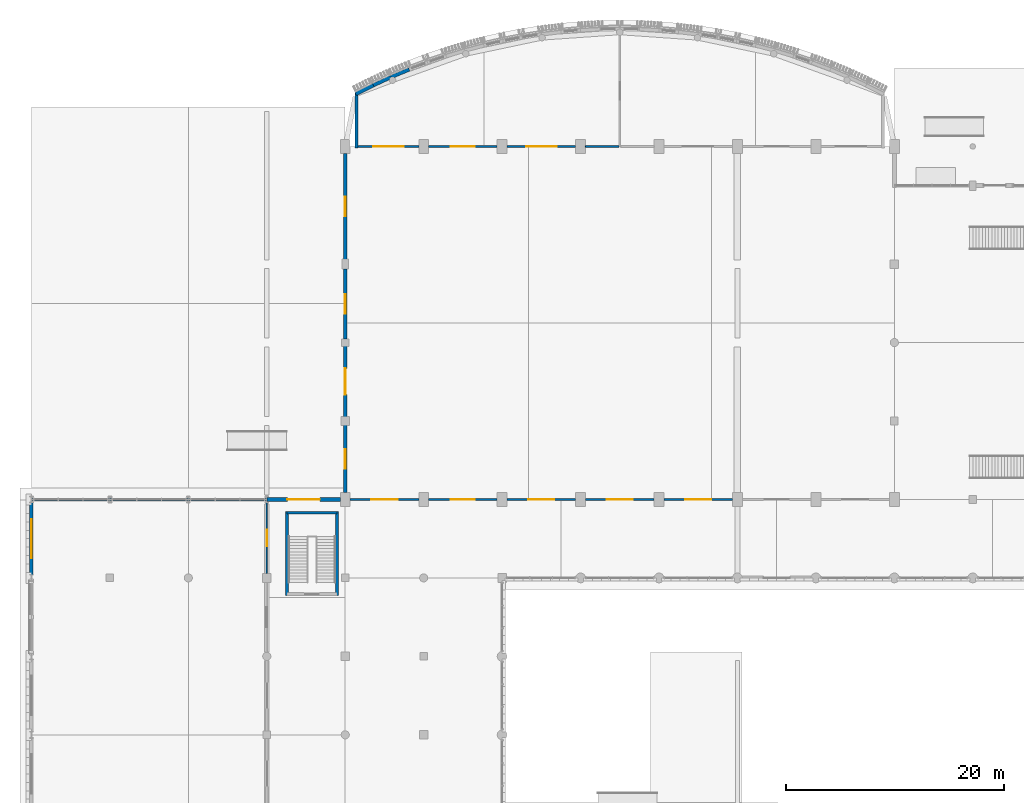
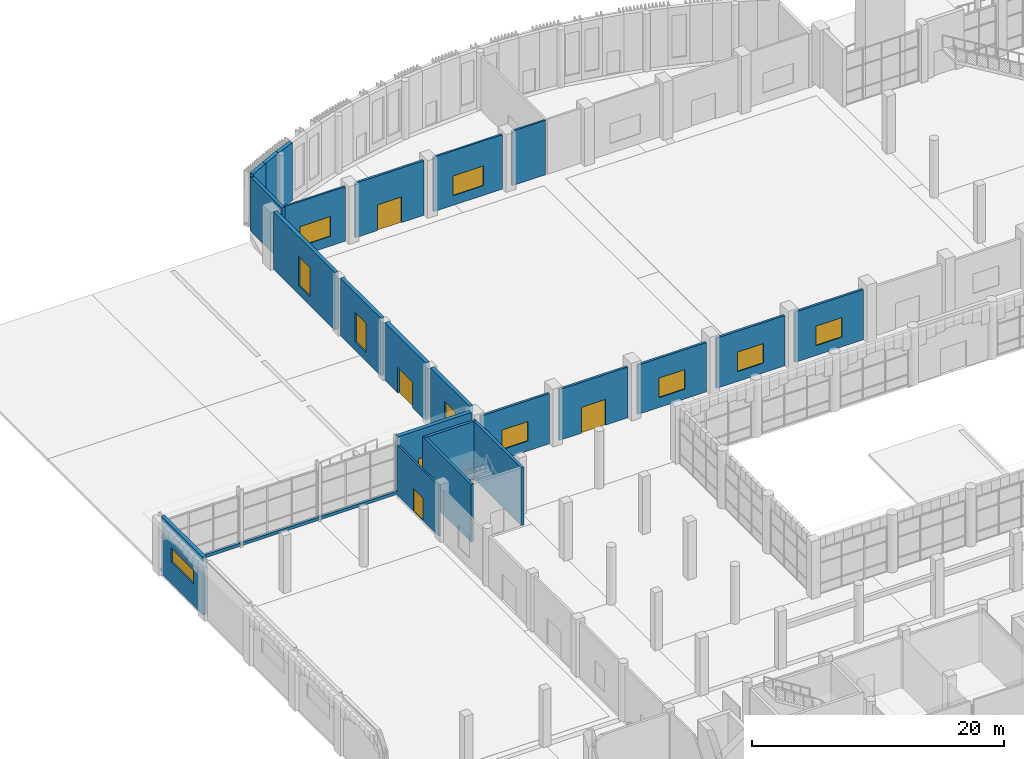
# One storey, part 60 of 85: 26 walls, 10 windows, 5 doors, 15 openings.
"""IFC4 building model written with IfcOpenShell, lengths in metres."""

from ifc_helpers import new_model, si_unit, direction, frame, frame_2d, origin, place, context, subcontext, project, spatial, polyline, rectangle, outline, extrude, material, layer, layer_set, type_object, element, fill, save


model = new_model("IFC4")

# Units and contexts
model_context = context("Model", 3, precision=1e-05, world=origin(), true_north=direction((0.0, 1.0)))
body_context = subcontext(model_context, "Body", "Model", "MODEL_VIEW")
ifc_project = project(units=[si_unit("LENGTHUNIT", "METRE"), si_unit("AREAUNIT", "SQUARE_METRE"), si_unit("VOLUMEUNIT", "CUBIC_METRE"), si_unit("PLANEANGLEUNIT", "RADIAN"), si_unit("MASSUNIT", "GRAM", prefix="KILO")], contexts=[model_context])

# Site, building, storey
site_placement = place(None, origin())
site = spatial("IfcSite", under=ifc_project, at=site_placement, CompositionType="ELEMENT")
building_placement = place(site_placement, origin())
building = spatial("IfcBuilding", under=site, at=building_placement, Name="Sardonyx Promenade Sports Hall", CompositionType="ELEMENT")
storey_placement = place(building_placement, origin())
storey = spatial("IfcBuildingStorey", under=building, at=storey_placement, Name="L00", CompositionType="ELEMENT", Elevation=0.0)

# Walls
ifc_material_1 = material(Name="Concrete C40/50", Category="concrete")
ifc_layer_1 = layer(ifc_material_1, 0.340087890625)
ifc_layer_set_1 = layer_set([ifc_layer_1], Name="Wall_Bow_Arc_340")
wall_type_1 = type_object("IfcWallType", Name="Wall_Bow_Arc_340", PredefinedType="SOLIDWALL", material=ifc_layer_set_1)
for number, where, z_axis, x_axis, name in (
    (1, (29.773681640625, 109.2119140625, 0.0), (0.0, 0.0, 1.0), (0.892821085875, 0.450411488104, 0.0), "Bowed promenade wall EW07 L00 CH01"),
    (2, (31.380859375, 110.022705078125, 0.0), (0.0, 0.0, 1.0), (0.907808472517, 0.419384998808, 0.0), "Bowed promenade wall EW07 L00 CH02"),
):
    element("IfcWall", number, at=place(storey_placement, frame(where, z_axis=z_axis, x_axis=x_axis)), inside=storey, type_object=wall_type_1, Name=name, PredefinedType="SOLIDWALL", context=body_context, shape_type="SweptSolid", body=[
        extrude(outline(polyline([(0.002943, -0.17), (1.797057, -0.17), (1.802943, 0.17), (-0.002943, 0.17), (0.002943, -0.17)])), origin(), (0.0, 0.0, 1.0), 5.60009765625),
    ])
wall_1_placement = place(storey_placement, frame((33.014892578125, 110.777587890625, 0.0), z_axis=(0.0, 0.0, 1.0), x_axis=(0.921803799964, 0.387656748131, 0.0)))
element("IfcWall", 3, at=wall_1_placement, inside=storey, type_object=wall_type_1, Name="Bowed promenade wall EW07 L00 CH03", PredefinedType="SOLIDWALL", context=body_context, shape_type="SweptSolid", body=[
    extrude(outline(polyline([(0.002943, -0.17), (1.797058, -0.17), (1.802943, 0.17), (-0.002943, 0.17), (0.002943, -0.17)])), origin(), (0.0, 0.0, 1.0), 5.60009765625),
])

# Wall, opening, window
ifc_material_2 = material(Name="Concrete C40/50", Category="concrete")
ifc_layer_2 = layer(ifc_material_2, 0.320068359375)
ifc_layer_set_2 = layer_set([ifc_layer_2], Name="Wall_Ext_Court_320")
wall_type_2 = type_object("IfcWallType", Name="Wall_Ext_Court_320", PredefinedType="SOLIDWALL", material=ifc_layer_set_2)
wall_2_placement = place(storey_placement, frame((0.0, 65.080078125, 0.0), z_axis=(0.0, 0.0, 1.0), x_axis=(0.0, 1.0, 0.0)))
wall_2 = element("IfcWall", 4, at=wall_2_placement, inside=storey, type_object=wall_type_2, Name="Exterior wall EW01 L00 #137", PredefinedType="SOLIDWALL", context=body_context, shape_type="SweptSolid", body=[
    extrude(rectangle(XDim=6.639892578125, YDim=0.320068359375, at=frame_2d((3.31982421875, 0.0))), origin(), (0.0, 0.0, 1.0), 5.60009765625),
])
opening_1_placement = place(wall_2_placement, frame((1.52001953125, 0.0, 2.10009765625)))
opening_1 = element("IfcOpeningElement", 5, at=opening_1_placement, cuts=wall_2, Name="Opening W17", PredefinedType="OPENING", context=body_context, shape_type="SweptSolid", body=[
    extrude(rectangle(XDim=3.60009765625, YDim=1.35009765625, at=frame_2d((1.800048828125, 0.675048828125))), frame((0.0, 0.17, 0.0), z_axis=(0.0, -1.0, 0.0), x_axis=(1.0, 0.0, 0.0)), (0.0, 0.0, 1.0), 0.34),
])
ifc_material_3 = material(Name="Double-glazed solar low-E aluminium window", Category="aluminium")
window_type_1 = type_object("IfcWindowType", Name="Win_Clerestory_360x135", PartitioningType="DOUBLE_PANEL_VERTICAL", PredefinedType="WINDOW", material=ifc_material_3)
window_1_placement = place(opening_1_placement, origin())
window_1 = element("IfcWindow", 6, at=window_1_placement, inside=storey, type_object=window_type_1, Name="Facade window W17 L00 #58", OverallHeight=1.35009765625, OverallWidth=3.60009765625, PartitioningType="SINGLE_PANEL", PredefinedType="WINDOW", context=body_context, shape_type="SweptSolid", body=[
    extrude(rectangle(XDim=3.60009765625, YDim=1.35009765625, at=frame_2d((1.800048828125, 0.675048828125))), frame((0.0, 0.030029296875, 0.0), z_axis=(0.0, -1.0, 0.0), x_axis=(1.0, 0.0, 0.0)), (0.0, 0.0, 1.0), 0.06005859375),
])
fill(opening_1, window_1)

wall_3_placement = place(storey_placement, frame((28.800048828125, 72.635009765625, 0.0), z_axis=(0.0, 0.0, 1.0), x_axis=(0.0, 1.0, 0.0)))
wall_3 = element("IfcWall", 7, at=wall_3_placement, inside=storey, type_object=wall_type_2, Name="Exterior wall EW01 L00 #206", PredefinedType="SOLIDWALL", context=body_context, shape_type="SweptSolid", body=[
    extrude(rectangle(XDim=6.179931640625, YDim=0.320068359375, at=frame_2d((3.08984375, 0.0))), origin(), (0.0, 0.0, 1.0), 5.60009765625),
])
opening_2_placement = place(wall_3_placement, frame((2.18994140625, 0.0, 0.85009765625)))
opening_2 = element("IfcOpeningElement", 8, at=opening_2_placement, cuts=wall_3, Name="Opening W23", PredefinedType="OPENING", context=body_context, shape_type="SweptSolid", body=[
    extrude(rectangle(XDim=1.800048828125, YDim=2.85009765625, at=frame_2d((0.89990234375, 1.425048828125))), frame((0.0, 0.17, 0.0), z_axis=(0.0, -1.0, 0.0), x_axis=(1.0, 0.0, 0.0)), (0.0, 0.0, 1.0), 0.34),
])
ifc_material_4 = material(Name="Double-glazed solar low-E aluminium window", Category="aluminium")
window_type_2 = type_object("IfcWindowType", Name="Win_Sandstone_ArchA", PartitioningType="DOUBLE_PANEL_VERTICAL", PredefinedType="WINDOW", material=ifc_material_4)
window_2_placement = place(opening_2_placement, origin())
window_2 = element("IfcWindow", 9, at=window_2_placement, inside=storey, type_object=window_type_2, Name="Facade window W23 L00 #81", OverallHeight=2.85009765625, OverallWidth=1.800048828125, PartitioningType="SINGLE_PANEL", PredefinedType="WINDOW", context=body_context, shape_type="SweptSolid", body=[
    extrude(rectangle(XDim=1.800048828125, YDim=2.85009765625, at=frame_2d((0.89990234375, 1.425048828125))), frame((0.0, 0.030029296875, 0.0), z_axis=(0.0, -1.0, 0.0), x_axis=(1.0, 0.0, 0.0)), (0.0, 0.0, 1.0), 0.06005859375),
])
fill(opening_2, window_2)

wall_4_placement = place(storey_placement, frame((28.800048828125, 86.735107421875, 0.0), z_axis=(0.0, 0.0, 1.0), x_axis=(0.0, 1.0, 0.0)))
wall_4 = element("IfcWall", 10, at=wall_4_placement, inside=storey, type_object=wall_type_2, Name="Exterior wall EW01 L00 #208", PredefinedType="SOLIDWALL", context=body_context, shape_type="SweptSolid", body=[
    extrude(rectangle(XDim=6.429931640625, YDim=0.320068359375, at=frame_2d((3.21484375, 0.0))), origin(), (0.0, 0.0, 1.0), 5.60009765625),
])
opening_3_placement = place(wall_4_placement, frame((2.31494140625, 0.0, 0.85009765625)))
opening_3 = element("IfcOpeningElement", 11, at=opening_3_placement, cuts=wall_4, Name="Opening W23", PredefinedType="OPENING", context=body_context, shape_type="SweptSolid", body=[
    extrude(rectangle(XDim=1.800048828125, YDim=2.85009765625, at=frame_2d((0.89990234375, 1.425048828125))), frame((0.0, 0.17, 0.0), z_axis=(0.0, -1.0, 0.0), x_axis=(1.0, 0.0, 0.0)), (0.0, 0.0, 1.0), 0.34),
])
window_3_placement = place(opening_3_placement, origin())
window_3 = element("IfcWindow", 12, at=window_3_placement, inside=storey, type_object=window_type_2, Name="Facade window W23 L00 #82", OverallHeight=2.85009765625, OverallWidth=1.800048828125, PartitioningType="SINGLE_PANEL", PredefinedType="WINDOW", context=body_context, shape_type="SweptSolid", body=[
    extrude(rectangle(XDim=1.800048828125, YDim=2.85009765625, at=frame_2d((0.89990234375, 1.425048828125))), frame((0.0, 0.030029296875, 0.0), z_axis=(0.0, -1.0, 0.0), x_axis=(1.0, 0.0, 0.0)), (0.0, 0.0, 1.0), 0.06005859375),
])
fill(opening_3, window_3)

wall_5_placement = place(storey_placement, frame((28.800048828125, 94.034912109375, 0.0), z_axis=(0.0, 0.0, 1.0), x_axis=(0.0, 1.0, 0.0)))
wall_5 = element("IfcWall", 13, at=wall_5_placement, inside=storey, type_object=wall_type_2, Name="Exterior wall EW01 L00 #209", PredefinedType="SOLIDWALL", context=body_context, shape_type="SweptSolid", body=[
    extrude(rectangle(XDim=9.72998046875, YDim=0.320068359375, at=frame_2d((4.864990234375, 0.0))), origin(), (0.0, 0.0, 1.0), 5.60009765625),
])
opening_4_placement = place(wall_5_placement, frame((3.965087890625, 0.0, 0.85009765625)))
opening_4 = element("IfcOpeningElement", 14, at=opening_4_placement, cuts=wall_5, Name="Opening W23", PredefinedType="OPENING", context=body_context, shape_type="SweptSolid", body=[
    extrude(rectangle(XDim=1.800048828125, YDim=2.85009765625, at=frame_2d((0.89990234375, 1.425048828125))), frame((0.0, 0.17, 0.0), z_axis=(0.0, -1.0, 0.0), x_axis=(1.0, 0.0, 0.0)), (0.0, 0.0, 1.0), 0.34),
])
window_4_placement = place(opening_4_placement, origin())
window_4 = element("IfcWindow", 15, at=window_4_placement, inside=storey, type_object=window_type_2, Name="Facade window W23 L00 #83", OverallHeight=2.85009765625, OverallWidth=1.800048828125, PartitioningType="SINGLE_PANEL", PredefinedType="WINDOW", context=body_context, shape_type="SweptSolid", body=[
    extrude(rectangle(XDim=1.800048828125, YDim=2.85009765625, at=frame_2d((0.89990234375, 1.425048828125))), frame((0.0, 0.030029296875, 0.0), z_axis=(0.0, -1.0, 0.0), x_axis=(1.0, 0.0, 0.0)), (0.0, 0.0, 1.0), 0.06005859375),
])
fill(opening_4, window_4)

# Wall, opening, door
ifc_material_5 = material(Name="Concrete C40/50", Category="concrete")
ifc_layer_3 = layer(ifc_material_5, 0.360107421875)
ifc_layer_set_3 = layer_set([ifc_layer_3], Name="Wall_Ext_Sandstone_360")
wall_type_3 = type_object("IfcWallType", Name="Wall_Ext_Sandstone_360", PredefinedType="SOLIDWALL", material=ifc_layer_set_3)
wall_6_placement = place(storey_placement, frame((21.6044921875, 72.0, 0.0), z_axis=(0.0, 0.0, 1.0), x_axis=(1.0, 0.0, 0.0)))
wall_6 = element("IfcWall", 16, at=wall_6_placement, inside=storey, type_object=wall_type_3, Name="Exterior wall EW06 L00 #171", PredefinedType="SOLIDWALL", context=body_context, shape_type="SweptSolid", body=[
    extrude(rectangle(XDim=6.760498046875, YDim=0.360107421875, at=frame_2d((3.38037109375, 0.0))), origin(), (0.0, 0.0, 1.0), 5.60009765625),
])
opening_5_placement = place(wall_6_placement, frame((1.880126953125, 0.0, 0.0)))
opening_5 = element("IfcOpeningElement", 17, at=opening_5_placement, cuts=wall_6, Name="Opening ED07", PredefinedType="OPENING", context=body_context, shape_type="SweptSolid", body=[
    extrude(rectangle(XDim=3.0, YDim=2.800048828125, at=frame_2d((1.5, 1.39990234375))), frame((0.0, 0.19, 0.0), z_axis=(0.0, -1.0, 0.0), x_axis=(1.0, 0.0, 0.0)), (0.0, 0.0, 1.0), 0.38),
])
ifc_material_6 = material(Name="Thermally broken anodised aluminium glazed door", Category="aluminium")
door_type_1 = type_object("IfcDoorType", Name="Door_Ext_MainPishtaq_300x280", OperationType="NOTDEFINED", PredefinedType="DOOR", material=ifc_material_6)
door_1_placement = place(opening_5_placement, origin())
door_1 = element("IfcDoor", 18, at=door_1_placement, inside=storey, type_object=door_type_1, Name="Exterior exit door E13", OperationType="DOUBLE_DOOR_SINGLE_SWING", OverallHeight=2.800048828125, OverallWidth=3.0, PredefinedType="DOOR", context=body_context, shape_type="SweptSolid", body=[
    extrude(rectangle(XDim=3.0, YDim=2.800048828125, at=frame_2d((1.5, 1.39990234375))), frame((0.0, 0.02490234375, 0.0), z_axis=(0.0, -1.0, 0.0), x_axis=(1.0, 0.0, 0.0)), (0.0, 0.0, 1.0), 0.050048828125),
])
fill(opening_5, door_1)

wall_7_placement = place(storey_placement, frame((28.800048828125, 79.5849609375, 0.0), z_axis=(0.0, 0.0, 1.0), x_axis=(0.0, 1.0, 0.0)))
wall_7 = element("IfcWall", 19, at=wall_7_placement, inside=storey, type_object=wall_type_3, Name="Exterior wall EW06 L00 #207", PredefinedType="SOLIDWALL", context=body_context, shape_type="SweptSolid", body=[
    extrude(rectangle(XDim=6.47998046875, YDim=0.360107421875, at=frame_2d((3.239990234375, 0.0))), origin(), (0.0, 0.0, 1.0), 5.60009765625),
])
opening_6_placement = place(wall_7_placement, frame((2.0400390625, 0.0, 0.0)))
opening_6 = element("IfcOpeningElement", 20, at=opening_6_placement, cuts=wall_7, Name="Opening ED06", PredefinedType="OPENING", context=body_context, shape_type="SweptSolid", body=[
    extrude(rectangle(XDim=2.39990234375, YDim=2.5, at=frame_2d((1.199951171875, 1.25))), frame((0.0, 0.19, 0.0), z_axis=(0.0, -1.0, 0.0), x_axis=(1.0, 0.0, 0.0)), (0.0, 0.0, 1.0), 0.38),
])
ifc_material_7 = material(Name="Thermally broken anodised aluminium glazed door", Category="aluminium")
door_type_2 = type_object("IfcDoorType", Name="Door_Ext_Promenade_240x250", OperationType="NOTDEFINED", PredefinedType="DOOR", material=ifc_material_7)
door_2_placement = place(opening_6_placement, origin())
door_2 = element("IfcDoor", 21, at=door_2_placement, inside=storey, type_object=door_type_2, Name="Exterior exit door E17", OperationType="DOUBLE_DOOR_SINGLE_SWING", OverallHeight=2.5, OverallWidth=2.39990234375, PredefinedType="DOOR", context=body_context, shape_type="SweptSolid", body=[
    extrude(rectangle(XDim=2.39990234375, YDim=2.5, at=frame_2d((1.199951171875, 1.25))), frame((0.0, 0.02490234375, 0.0), z_axis=(0.0, -1.0, 0.0), x_axis=(1.0, 0.0, 0.0)), (0.0, 0.0, 1.0), 0.050048828125),
])
fill(opening_6, door_2)

# Walls
ifc_material_8 = material(Name="Masonry CMU 15 MPa", Category="masonry")
ifc_layer_4 = layer(ifc_material_8, 0.239990234375)
ifc_layer_set_4 = layer_set([ifc_layer_4], Name="Wall_Ext_Spandrel_240")
wall_type_4 = type_object("IfcWallType", Name="Wall_Ext_Spandrel_240", PredefinedType="SOLIDWALL", material=ifc_layer_set_4)
wall_8_placement = place(storey_placement, frame((0.00439453125, 72.0, 0.0), z_axis=(0.0, 0.0, 1.0), x_axis=(1.0, 0.0, 0.0)))
element("IfcWall", 22, at=wall_8_placement, inside=storey, type_object=wall_type_4, Name="Curtain-wall sill spandrel L00 #168", PredefinedType="SOLIDWALL", context=body_context, shape_type="SweptSolid", body=[
    extrude(rectangle(XDim=7.191162109375, YDim=0.239990234375, at=frame_2d((3.595703125, 0.0))), origin(), (0.0, 0.0, 1.0), 0.300048828125),
])
for number, where, z_axis, x_axis, name in (
    (23, (7.20458984375, 72.0, 0.0), (0.0, 0.0, 1.0), (1.0, 0.0, 0.0), "Curtain-wall sill spandrel L00 #169"),
    (24, (14.404541015625, 72.0, 0.0), (0.0, 0.0, 1.0), (1.0, 0.0, 0.0), "Curtain-wall sill spandrel L00 #170"),
):
    element("IfcWall", number, at=place(storey_placement, frame(where, z_axis=z_axis, x_axis=x_axis)), inside=storey, type_object=wall_type_4, Name=name, PredefinedType="SOLIDWALL", context=body_context, shape_type="SweptSolid", body=[
        extrude(rectangle(XDim=7.19091796875, YDim=0.239990234375, at=frame_2d((3.595458984375, 0.0))), origin(), (0.0, 0.0, 1.0), 0.300048828125),
    ])
ifc_material_9 = material(Name="Concrete C40/50", Category="concrete")
ifc_layer_5 = layer(ifc_material_9, 0.280029296875)
ifc_layer_set_5 = layer_set([ifc_layer_5], Name="Wall_Ext_Wing_280")
wall_type_5 = type_object("IfcWallType", Name="Wall_Ext_Wing_280", PredefinedType="SOLIDWALL", material=ifc_layer_set_5)
wall_9_placement = place(storey_placement, frame((29.82373046875, 104.25, 0.0), z_axis=(0.0, 0.0, 1.0), x_axis=(0.0, 1.0, 0.0)))
element("IfcWall", 25, at=wall_9_placement, inside=storey, type_object=wall_type_5, Name="Bowed gallery west return wall L00", PredefinedType="SOLIDWALL", context=body_context, shape_type="SweptSolid", body=[
    extrude(rectangle(XDim=5.041748046875, YDim=0.280029296875, at=frame_2d((2.52099609375, 0.0))), origin(), (0.0, 0.0, 1.0), 5.2900390625),
])

# Wall, opening, window
ifc_material_10 = material(Name="Twin-stud acoustic gypsum partition", Category="gypsum")
ifc_layer_6 = layer(ifc_material_10, 0.169921875)
ifc_layer_set_6 = layer_set([ifc_layer_6], Name="Wall_Part_Acoust_170")
wall_type_6 = type_object("IfcWallType", Name="Wall_Part_Acoust_170", PredefinedType="PARTITIONING", material=ifc_layer_set_6)
wall_10_placement = place(storey_placement, frame((29.9736328125, 104.39990234375, 0.0), z_axis=(0.0, 0.0, 1.0), x_axis=(1.0, 0.0, 0.0)))
wall_10 = element("IfcWall", 26, at=wall_10_placement, inside=storey, type_object=wall_type_6, Name="Interior partition PW06 L00 #369", PredefinedType="PARTITIONING", context=body_context, shape_type="SweptSolid", body=[
    extrude(rectangle(XDim=5.576416015625, YDim=0.169921875, at=frame_2d((2.7880859375, 0.0))), origin(), (0.0, 0.0, 1.0), 5.2900390625),
])
opening_7_placement = place(wall_10_placement, frame((1.38818359375, 0.0, 0.949951171875)))
opening_7 = element("IfcOpeningElement", 27, at=opening_7_placement, cuts=wall_10, Name="Opening IW06", PredefinedType="OPENING", context=body_context, shape_type="SweptSolid", body=[
    extrude(rectangle(XDim=2.800048828125, YDim=1.89990234375, at=frame_2d((1.39990234375, 0.949951171875))), frame((0.0, 0.095, 0.0), z_axis=(0.0, -1.0, 0.0), x_axis=(1.0, 0.0, 0.0)), (0.0, 0.0, 1.0), 0.19),
])
ifc_material_11 = material(Name="Acoustic laminated sports viewing glazing EI 60", Category="glass")
window_type_3 = type_object("IfcWindowType", Name="IWin_Arena_280x190", PartitioningType="DOUBLE_PANEL_VERTICAL", PredefinedType="WINDOW", material=ifc_material_11)
window_5_placement = place(opening_7_placement, origin())
window_5 = element("IfcWindow", 28, at=window_5_placement, inside=storey, type_object=window_type_3, Name="Internal viewing window IW06 L00 #10", OverallHeight=1.89990234375, OverallWidth=2.800048828125, PartitioningType="SINGLE_PANEL", PredefinedType="WINDOW", context=body_context, shape_type="SweptSolid", body=[
    extrude(rectangle(XDim=2.800048828125, YDim=1.89990234375, at=frame_2d((1.39990234375, 0.949951171875))), frame((0.0, 0.030029296875, 0.0), z_axis=(0.0, -1.0, 0.0), x_axis=(1.0, 0.0, 0.0)), (0.0, 0.0, 1.0), 0.06005859375),
])
fill(opening_7, window_5)

wall_11_placement = place(storey_placement, frame((43.64990234375, 104.39990234375, 0.0), z_axis=(0.0, 0.0, 1.0), x_axis=(1.0, 0.0, 0.0)))
wall_11 = element("IfcWall", 29, at=wall_11_placement, inside=storey, type_object=wall_type_6, Name="Interior partition PW06 L00 #371", PredefinedType="PARTITIONING", context=body_context, shape_type="SweptSolid", body=[
    extrude(rectangle(XDim=6.300048828125, YDim=0.169921875, at=frame_2d((3.14990234375, 0.0))), origin(), (0.0, 0.0, 1.0), 5.2900390625),
])
opening_8_placement = place(wall_11_placement, frame((1.75, 0.0, 0.949951171875)))
opening_8 = element("IfcOpeningElement", 30, at=opening_8_placement, cuts=wall_11, Name="Opening IW06", PredefinedType="OPENING", context=body_context, shape_type="SweptSolid", body=[
    extrude(rectangle(XDim=2.800048828125, YDim=1.89990234375, at=frame_2d((1.39990234375, 0.949951171875))), frame((0.0, 0.095, 0.0), z_axis=(0.0, -1.0, 0.0), x_axis=(1.0, 0.0, 0.0)), (0.0, 0.0, 1.0), 0.19),
])
window_6_placement = place(opening_8_placement, origin())
window_6 = element("IfcWindow", 31, at=window_6_placement, inside=storey, type_object=window_type_3, Name="Internal viewing window IW06 L00 #11", OverallHeight=1.89990234375, OverallWidth=2.800048828125, PartitioningType="SINGLE_PANEL", PredefinedType="WINDOW", context=body_context, shape_type="SweptSolid", body=[
    extrude(rectangle(XDim=2.800048828125, YDim=1.89990234375, at=frame_2d((1.39990234375, 0.949951171875))), frame((0.0, 0.030029296875, 0.0), z_axis=(0.0, -1.0, 0.0), x_axis=(1.0, 0.0, 0.0)), (0.0, 0.0, 1.0), 0.06005859375),
])
fill(opening_8, window_6)

# Wall
wall_12_placement = place(storey_placement, frame((50.85009765625, 104.39990234375, 0.0), z_axis=(0.0, 0.0, 1.0), x_axis=(1.0, 0.0, 0.0)))
element("IfcWall", 32, at=wall_12_placement, inside=storey, type_object=wall_type_6, Name="Interior partition PW06 L00 #372", PredefinedType="PARTITIONING", context=body_context, shape_type="SweptSolid", body=[
    extrude(rectangle(XDim=3.054931640625, YDim=0.169921875, at=frame_2d((1.52734375, 0.0))), origin(), (0.0, 0.0, 1.0), 5.2900390625),
])

# Wall, opening, door
wall_13_placement = place(storey_placement, frame((21.60009765625, 65.199951171875, 0.0), z_axis=(0.0, 0.0, 1.0), x_axis=(0.0, 1.0, 0.0)))
wall_13 = element("IfcWall", 33, at=wall_13_placement, inside=storey, type_object=wall_type_6, Name="Interior partition PW06 L00 #487", PredefinedType="PARTITIONING", context=body_context, shape_type="SweptSolid", body=[
    extrude(rectangle(XDim=6.505126953125, YDim=0.169921875, at=frame_2d((3.25244140625, 0.0))), origin(), (0.0, 0.0, 1.0), 4.8798828125),
])
opening_9_placement = place(wall_13_placement, frame((2.50244140625, 0.0, 0.0)))
opening_9 = element("IfcOpeningElement", 34, at=opening_9_placement, cuts=wall_13, Name="Opening ID10", PredefinedType="OPENING", context=body_context, shape_type="SweptSolid", body=[
    extrude(rectangle(XDim=1.5, YDim=2.199951171875, at=frame_2d((0.75, 1.10009765625))), frame((0.0, 0.095, 0.0), z_axis=(0.0, -1.0, 0.0), x_axis=(1.0, 0.0, 0.0)), (0.0, 0.0, 1.0), 0.19),
])
ifc_material_12 = material(Name="Double studio entrance fire door FD30S", Category="wood")
door_type_3 = type_object("IfcDoorType", Name="Door_Corr_FD30_150x220", OperationType="NOTDEFINED", PredefinedType="DOOR", material=ifc_material_12)
door_3_placement = place(opening_9_placement, origin())
door_3 = element("IfcDoor", 35, at=door_3_placement, inside=storey, type_object=door_type_3, Name="Interior door D00-151", OperationType="DOUBLE_DOOR_SINGLE_SWING", OverallHeight=2.199951171875, OverallWidth=1.5, PredefinedType="DOOR", context=body_context, shape_type="SweptSolid", body=[
    extrude(rectangle(XDim=1.5, YDim=2.199951171875, at=frame_2d((0.75, 1.10009765625))), frame((0.0, 0.02490234375, 0.0), z_axis=(0.0, -1.0, 0.0), x_axis=(1.0, 0.0, 0.0)), (0.0, 0.0, 1.0), 0.050048828125),
])
fill(opening_9, door_3)

ifc_material_13 = material(Name="Masonry CMU 15 MPa", Category="masonry")
ifc_layer_7 = layer(ifc_material_13, 0.2099609375)
ifc_layer_set_7 = layer_set([ifc_layer_7], Name="Wall_Part_Block_210")
wall_type_7 = type_object("IfcWallType", Name="Wall_Part_Block_210", PredefinedType="PARTITIONING", material=ifc_layer_set_7)
wall_14_placement = place(storey_placement, frame((36.449951171875, 104.39990234375, 0.0), z_axis=(0.0, 0.0, 1.0), x_axis=(1.0, 0.0, 0.0)))
wall_14 = element("IfcWall", 36, at=wall_14_placement, inside=storey, type_object=wall_type_7, Name="Interior partition PW07 L00 #370", PredefinedType="PARTITIONING", context=body_context, shape_type="SweptSolid", body=[
    extrude(rectangle(XDim=6.300048828125, YDim=0.2099609375, at=frame_2d((3.14990234375, 0.0))), origin(), (0.0, 0.0, 1.0), 5.2900390625),
])
opening_10_placement = place(wall_14_placement, frame((2.050048828125, 0.0, 0.0)))
opening_10 = element("IfcOpeningElement", 37, at=opening_10_placement, cuts=wall_14, Name="Opening ID04", PredefinedType="OPENING", context=body_context, shape_type="SweptSolid", body=[
    extrude(rectangle(XDim=2.199951171875, YDim=2.5, at=frame_2d((1.10009765625, 1.25))), frame((0.0, 0.115, 0.0), z_axis=(0.0, -1.0, 0.0), x_axis=(1.0, 0.0, 0.0)), (0.0, 0.0, 1.0), 0.23),
])
ifc_material_14 = material(Name="Double acoustic sports hall fire door FD60S", Category="wood")
door_type_4 = type_object("IfcDoorType", Name="Door_Hall_FD60_220x250", OperationType="NOTDEFINED", PredefinedType="DOOR", material=ifc_material_14)
door_4_placement = place(opening_10_placement, origin())
door_4 = element("IfcDoor", 38, at=door_4_placement, inside=storey, type_object=door_type_4, Name="Interior door D00-121", OperationType="DOUBLE_DOOR_SINGLE_SWING", OverallHeight=2.5, OverallWidth=2.199951171875, PredefinedType="DOOR", context=body_context, shape_type="SweptSolid", body=[
    extrude(rectangle(XDim=2.199951171875, YDim=2.5, at=frame_2d((1.10009765625, 1.25))), frame((0.0, 0.02490234375, 0.0), z_axis=(0.0, -1.0, 0.0), x_axis=(1.0, 0.0, 0.0)), (0.0, 0.0, 1.0), 0.050048828125),
])
fill(opening_10, door_4)

# Wall, opening, window
wall_15_placement = place(storey_placement, frame((29.25, 72.0, 0.0), z_axis=(0.0, 0.0, 1.0), x_axis=(1.0, 0.0, 0.0)))
wall_15 = element("IfcWall", 39, at=wall_15_placement, inside=storey, type_object=wall_type_7, Name="Interior partition PW07 L00 #377", PredefinedType="PARTITIONING", context=body_context, shape_type="SweptSolid", body=[
    extrude(rectangle(XDim=6.300048828125, YDim=0.2099609375, at=frame_2d((3.14990234375, 0.0))), origin(), (0.0, 0.0, 1.0), 4.8798828125),
])
opening_11_placement = place(wall_15_placement, frame((1.949951171875, 0.0, 0.949951171875)))
opening_11 = element("IfcOpeningElement", 40, at=opening_11_placement, cuts=wall_15, Name="Opening IW03", PredefinedType="OPENING", context=body_context, shape_type="SweptSolid", body=[
    extrude(rectangle(XDim=2.39990234375, YDim=1.89990234375, at=frame_2d((1.199951171875, 0.949951171875))), frame((0.0, 0.115, 0.0), z_axis=(0.0, -1.0, 0.0), x_axis=(1.0, 0.0, 0.0)), (0.0, 0.0, 1.0), 0.23),
])
ifc_material_15 = material(Name="Acoustic laminated sports viewing glazing EI 60", Category="glass")
window_type_4 = type_object("IfcWindowType", Name="IWin_Arena_240x190", PartitioningType="DOUBLE_PANEL_VERTICAL", PredefinedType="WINDOW", material=ifc_material_15)
window_7_placement = place(opening_11_placement, origin())
window_7 = element("IfcWindow", 41, at=window_7_placement, inside=storey, type_object=window_type_4, Name="Internal viewing window IW03 L00 #14", OverallHeight=1.89990234375, OverallWidth=2.39990234375, PartitioningType="SINGLE_PANEL", PredefinedType="WINDOW", context=body_context, shape_type="SweptSolid", body=[
    extrude(rectangle(XDim=2.39990234375, YDim=1.89990234375, at=frame_2d((1.199951171875, 0.949951171875))), frame((0.0, 0.030029296875, 0.0), z_axis=(0.0, -1.0, 0.0), x_axis=(1.0, 0.0, 0.0)), (0.0, 0.0, 1.0), 0.06005859375),
])
fill(opening_11, window_7)

# Wall, opening, door
wall_16_placement = place(storey_placement, frame((36.449951171875, 72.0, 0.0), z_axis=(0.0, 0.0, 1.0), x_axis=(1.0, 0.0, 0.0)))
wall_16 = element("IfcWall", 42, at=wall_16_placement, inside=storey, type_object=wall_type_7, Name="Interior partition PW07 L00 #378", PredefinedType="PARTITIONING", context=body_context, shape_type="SweptSolid", body=[
    extrude(rectangle(XDim=6.300048828125, YDim=0.2099609375, at=frame_2d((3.14990234375, 0.0))), origin(), (0.0, 0.0, 1.0), 4.929931640625),
])
opening_12_placement = place(wall_16_placement, frame((2.050048828125, 0.0, 0.0)))
opening_12 = element("IfcOpeningElement", 43, at=opening_12_placement, cuts=wall_16, Name="Opening ID04", PredefinedType="OPENING", context=body_context, shape_type="SweptSolid", body=[
    extrude(rectangle(XDim=2.199951171875, YDim=2.5, at=frame_2d((1.10009765625, 1.25))), frame((0.0, 0.115, 0.0), z_axis=(0.0, -1.0, 0.0), x_axis=(1.0, 0.0, 0.0)), (0.0, 0.0, 1.0), 0.23),
])
door_5_placement = place(opening_12_placement, origin())
door_5 = element("IfcDoor", 44, at=door_5_placement, inside=storey, type_object=door_type_4, Name="Interior door D00-123", OperationType="DOUBLE_DOOR_SINGLE_SWING", OverallHeight=2.5, OverallWidth=2.199951171875, PredefinedType="DOOR", context=body_context, shape_type="SweptSolid", body=[
    extrude(rectangle(XDim=2.199951171875, YDim=2.5, at=frame_2d((1.10009765625, 1.25))), frame((0.0, 0.02490234375, 0.0), z_axis=(0.0, -1.0, 0.0), x_axis=(1.0, 0.0, 0.0)), (0.0, 0.0, 1.0), 0.050048828125),
])
fill(opening_12, door_5)

# Wall, opening, window
wall_17_placement = place(storey_placement, frame((43.64990234375, 72.0, 0.0), z_axis=(0.0, 0.0, 1.0), x_axis=(1.0, 0.0, 0.0)))
wall_17 = element("IfcWall", 45, at=wall_17_placement, inside=storey, type_object=wall_type_7, Name="Interior partition PW07 L00 #379", PredefinedType="PARTITIONING", context=body_context, shape_type="SweptSolid", body=[
    extrude(rectangle(XDim=6.300048828125, YDim=0.2099609375, at=frame_2d((3.14990234375, 0.0))), origin(), (0.0, 0.0, 1.0), 4.780029296875),
])
opening_13_placement = place(wall_17_placement, frame((1.949951171875, 0.0, 0.949951171875)))
opening_13 = element("IfcOpeningElement", 46, at=opening_13_placement, cuts=wall_17, Name="Opening IW03", PredefinedType="OPENING", context=body_context, shape_type="SweptSolid", body=[
    extrude(rectangle(XDim=2.39990234375, YDim=1.89990234375, at=frame_2d((1.199951171875, 0.949951171875))), frame((0.0, 0.115, 0.0), z_axis=(0.0, -1.0, 0.0), x_axis=(1.0, 0.0, 0.0)), (0.0, 0.0, 1.0), 0.23),
])
window_8_placement = place(opening_13_placement, origin())
window_8 = element("IfcWindow", 47, at=window_8_placement, inside=storey, type_object=window_type_4, Name="Internal viewing window IW03 L00 #15", OverallHeight=1.89990234375, OverallWidth=2.39990234375, PartitioningType="SINGLE_PANEL", PredefinedType="WINDOW", context=body_context, shape_type="SweptSolid", body=[
    extrude(rectangle(XDim=2.39990234375, YDim=1.89990234375, at=frame_2d((1.199951171875, 0.949951171875))), frame((0.0, 0.030029296875, 0.0), z_axis=(0.0, -1.0, 0.0), x_axis=(1.0, 0.0, 0.0)), (0.0, 0.0, 1.0), 0.06005859375),
])
fill(opening_13, window_8)

wall_18_placement = place(storey_placement, frame((50.85009765625, 72.0, 0.0), z_axis=(0.0, 0.0, 1.0), x_axis=(1.0, 0.0, 0.0)))
wall_18 = element("IfcWall", 48, at=wall_18_placement, inside=storey, type_object=wall_type_7, Name="Interior partition PW07 L00 #380", PredefinedType="PARTITIONING", context=body_context, shape_type="SweptSolid", body=[
    extrude(rectangle(XDim=6.2998046875, YDim=0.2099609375, at=frame_2d((3.14990234375, 0.0))), origin(), (0.0, 0.0, 1.0), 4.8798828125),
])
opening_14_placement = place(wall_18_placement, frame((1.949951171875, 0.0, 0.949951171875)))
opening_14 = element("IfcOpeningElement", 49, at=opening_14_placement, cuts=wall_18, Name="Opening IW03", PredefinedType="OPENING", context=body_context, shape_type="SweptSolid", body=[
    extrude(rectangle(XDim=2.39990234375, YDim=1.89990234375, at=frame_2d((1.199951171875, 0.949951171875))), frame((0.0, 0.115, 0.0), z_axis=(0.0, -1.0, 0.0), x_axis=(1.0, 0.0, 0.0)), (0.0, 0.0, 1.0), 0.23),
])
window_9_placement = place(opening_14_placement, origin())
window_9 = element("IfcWindow", 50, at=window_9_placement, inside=storey, type_object=window_type_4, Name="Internal viewing window IW03 L00 #16", OverallHeight=1.89990234375, OverallWidth=2.39990234375, PartitioningType="SINGLE_PANEL", PredefinedType="WINDOW", context=body_context, shape_type="SweptSolid", body=[
    extrude(rectangle(XDim=2.39990234375, YDim=1.89990234375, at=frame_2d((1.199951171875, 0.949951171875))), frame((0.0, 0.030029296875, 0.0), z_axis=(0.0, -1.0, 0.0), x_axis=(1.0, 0.0, 0.0)), (0.0, 0.0, 1.0), 0.06005859375),
])
fill(opening_14, window_9)

wall_19_placement = place(storey_placement, frame((58.050048828125, 72.0, 0.0), z_axis=(0.0, 0.0, 1.0), x_axis=(1.0, 0.0, 0.0)))
wall_19 = element("IfcWall", 51, at=wall_19_placement, inside=storey, type_object=wall_type_7, Name="Interior partition PW07 L00 #381", PredefinedType="PARTITIONING", context=body_context, shape_type="SweptSolid", body=[
    extrude(rectangle(XDim=6.300048828125, YDim=0.2099609375, at=frame_2d((3.14990234375, 0.0))), origin(), (0.0, 0.0, 1.0), 4.8798828125),
])
opening_15_placement = place(wall_19_placement, frame((1.949951171875, 0.0, 0.949951171875)))
opening_15 = element("IfcOpeningElement", 52, at=opening_15_placement, cuts=wall_19, Name="Opening IW03", PredefinedType="OPENING", context=body_context, shape_type="SweptSolid", body=[
    extrude(rectangle(XDim=2.39990234375, YDim=1.89990234375, at=frame_2d((1.199951171875, 0.949951171875))), frame((0.0, 0.115, 0.0), z_axis=(0.0, -1.0, 0.0), x_axis=(1.0, 0.0, 0.0)), (0.0, 0.0, 1.0), 0.23),
])
window_10_placement = place(opening_15_placement, origin())
window_10 = element("IfcWindow", 53, at=window_10_placement, inside=storey, type_object=window_type_4, Name="Internal viewing window IW03 L00 #17", OverallHeight=1.89990234375, OverallWidth=2.39990234375, PartitioningType="SINGLE_PANEL", PredefinedType="WINDOW", context=body_context, shape_type="SweptSolid", body=[
    extrude(rectangle(XDim=2.39990234375, YDim=1.89990234375, at=frame_2d((1.199951171875, 0.949951171875))), frame((0.0, 0.030029296875, 0.0), z_axis=(0.0, -1.0, 0.0), x_axis=(1.0, 0.0, 0.0)), (0.0, 0.0, 1.0), 0.06005859375),
])
fill(opening_15, window_10)

# Walls
ifc_material_16 = material(Name="Concrete C40/50", Category="concrete")
ifc_layer_8 = layer(ifc_material_16, 0.25)
ifc_layer_set_8 = layer_set([ifc_layer_8], Name="Wall_Stair_Shear_250")
wall_type_8 = type_object("IfcWallType", Name="Wall_Stair_Shear_250", PredefinedType="SHEAR", material=ifc_layer_set_8)
wall_20_placement = place(storey_placement, frame((23.449951171875, 63.199951171875, 0.0), z_axis=(0.0, 0.0, 1.0), x_axis=(0.0, 1.0, 0.0)))
element("IfcWall", 54, at=wall_20_placement, inside=storey, type_object=wall_type_8, Name="Stair shaft wall ST7 L00 N", PredefinedType="SHEAR", context=body_context, shape_type="SweptSolid", body=[
    extrude(rectangle(XDim=7.699951171875, YDim=0.25, at=frame_2d((3.85009765625, 0.0))), origin(), (0.0, 0.0, 1.0), 5.60009765625),
])
wall_21_placement = place(storey_placement, frame((23.449951171875, 70.77490234375, 0.0), z_axis=(0.0, 0.0, 1.0), x_axis=(1.0, 0.0, 0.0)))
element("IfcWall", 55, at=wall_21_placement, inside=storey, type_object=wall_type_8, Name="Stair shaft wall ST7 L00 E", PredefinedType="SHEAR", context=body_context, shape_type="SweptSolid", body=[
    extrude(rectangle(XDim=4.60009765625, YDim=0.25, at=frame_2d((2.300048828125, 0.0))), origin(), (0.0, 0.0, 1.0), 5.60009765625),
])
wall_22_placement = place(storey_placement, frame((28.050048828125, 70.89990234375, 0.0), z_axis=(0.0, 0.0, 1.0), x_axis=(0.0, -1.0, 0.0)))
element("IfcWall", 56, at=wall_22_placement, inside=storey, type_object=wall_type_8, Name="Stair shaft wall ST7 L00 S", PredefinedType="SHEAR", context=body_context, shape_type="SweptSolid", body=[
    extrude(rectangle(XDim=7.699951171875, YDim=0.25, at=frame_2d((3.85009765625, 0.0))), origin(), (0.0, 0.0, 1.0), 5.60009765625),
])

save(model, "model.ifc")
